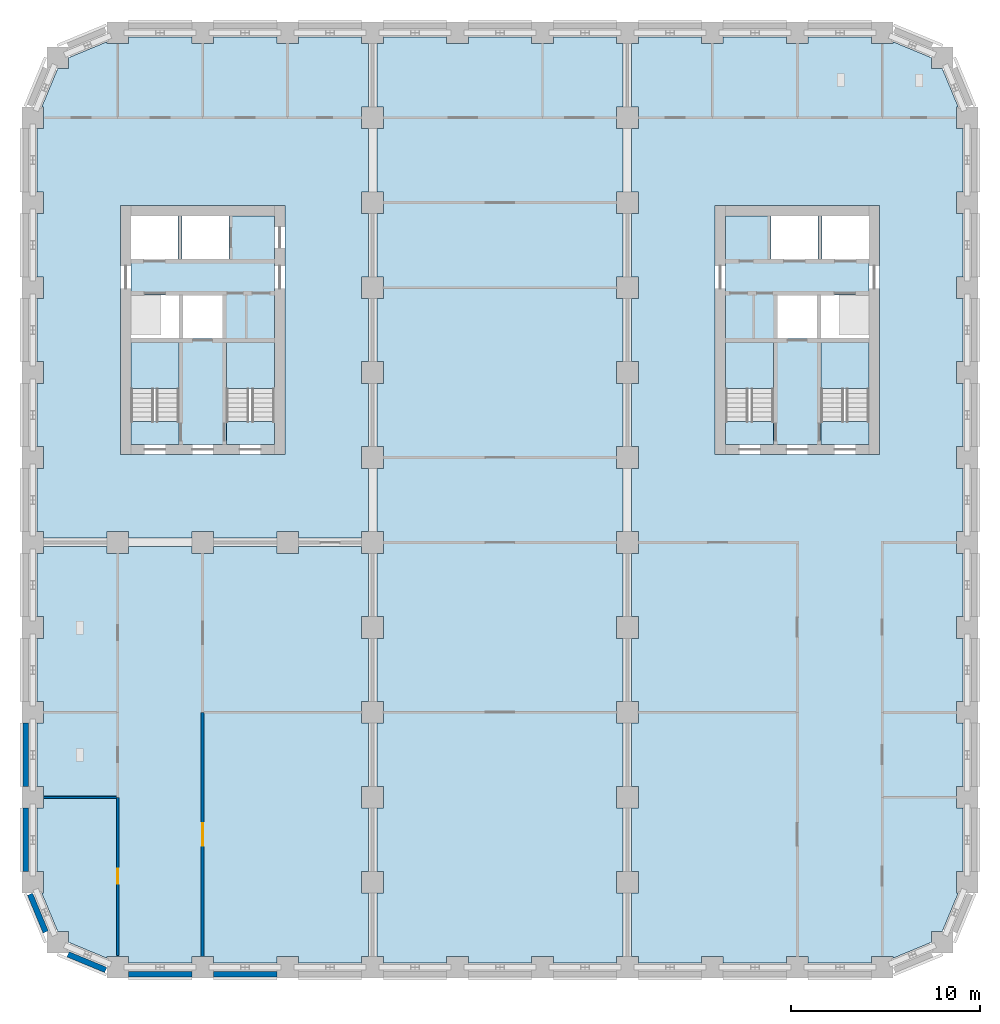
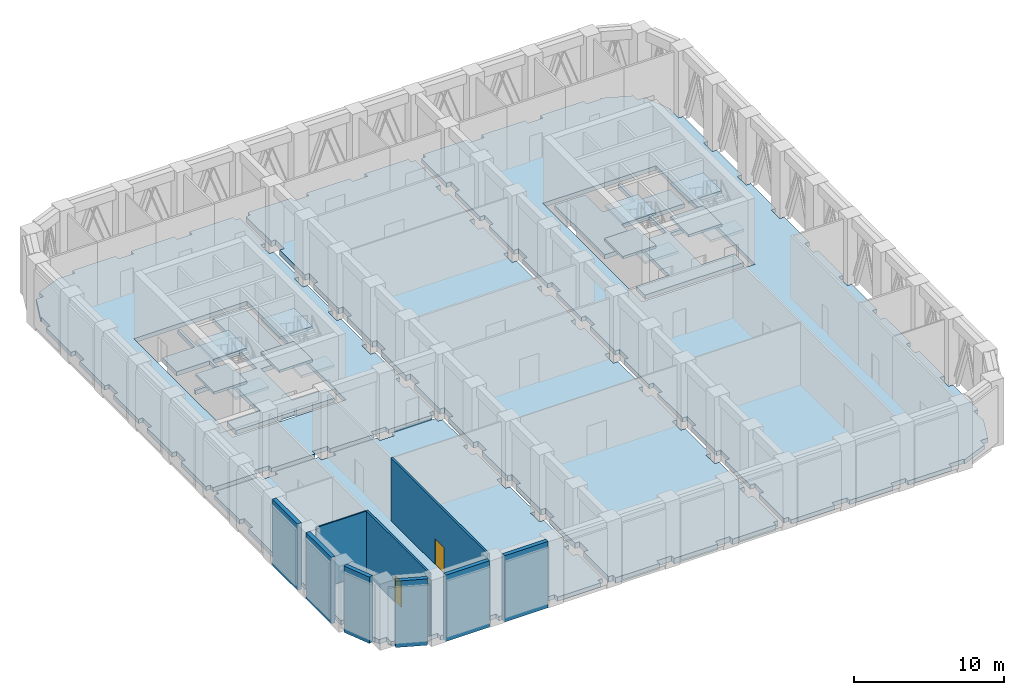
# One storey, part 2 of 11: 18 slabs, 9 walls, 2 doors, 2 openings, 4 elements without a shape of their own.
"""IFC4 building model written with IfcOpenShell, lengths in metres."""

from ifc_helpers import new_model, si_unit, direction, frame, frame_2d, origin, place, context, subcontext, project, spatial, polyline, rectangle, outline, extrude, material, layer, layer_set, type_object, element, fill, aggregate, save


model = new_model("IFC4")

# Units and contexts
model_context = context("Model", 3, precision=1e-05, world=origin(), true_north=direction((0.0, 1.0)))
body_context = subcontext(model_context, "Body", "Model", "MODEL_VIEW")
ifc_project = project(units=[si_unit("LENGTHUNIT", "METRE"), si_unit("AREAUNIT", "SQUARE_METRE"), si_unit("VOLUMEUNIT", "CUBIC_METRE"), si_unit("PLANEANGLEUNIT", "RADIAN"), si_unit("MASSUNIT", "GRAM", prefix="KILO")], contexts=[model_context])

# Site, building, storey
site_placement = place(None, origin())
site = spatial("IfcSite", under=ifc_project, at=site_placement, CompositionType="ELEMENT")
building_placement = place(site_placement, origin())
building = spatial("IfcBuilding", under=site, at=building_placement, Name="Girih Gate Residences", CompositionType="ELEMENT")
storey_placement = place(building_placement, frame((0.0, 0.0, 124.800048828125)))
storey = spatial("IfcBuildingStorey", under=building, at=storey_placement, Name="L35", CompositionType="ELEMENT", Elevation=124.800048828125)

# Slabs
ifc_material_1 = material(Name="Concrete C40/50", Category="concrete")
ifc_layer_1 = layer(ifc_material_1, 0.35009765625)
ifc_layer_set_1 = layer_set([ifc_layer_1], Name="Core floor slab 350")
slab_type_1 = type_object("IfcSlabType", Name="Core floor slab 350", PredefinedType="FLOOR", material=ifc_layer_set_1)
slab_1_placement = place(storey_placement, frame((0.0, 0.0, -0.35009765625)))
element("IfcSlab", 1, at=slab_1_placement, inside=storey, type_object=slab_type_1, Name="L35 W core floor", PredefinedType="FLOOR", context=body_context, shape_type="SweptSolid", body=[
    extrude(outline(polyline([(12.800048828125, 27.699951171875), (5.199951171875, 27.699951171875), (5.199951171875, 28.900634765625), (7.75, 28.900634765625), (7.75, 33.10009765625), (5.199951171875, 33.10009765625), (5.199951171875, 33.300048828125), (7.75, 33.300048828125), (7.75, 35.60009765625), (5.199951171875, 35.60009765625), (5.199951171875, 37.5), (7.699951171875, 37.5), (7.699951171875, 39.800048828125), (7.89990234375, 39.800048828125), (7.89990234375, 37.5), (10.39990234375, 37.5), (10.39990234375, 39.800048828125), (12.800048828125, 39.800048828125), (12.800048828125, 33.10009765625), (10.25, 33.10009765625), (10.25, 28.900634765625), (12.800048828125, 28.900634765625), (12.800048828125, 27.699951171875)]), holes=[polyline([(7.949951171875, 33.300048828125), (10.050048828125, 33.300048828125), (10.050048828125, 35.60009765625), (7.949951171875, 35.60009765625), (7.949951171875, 33.300048828125)])]), origin(), (0.0, 0.0, 1.0), 0.35009765625),
])
slab_2_placement = place(storey_placement, frame((0.0, 0.0, -0.35009765625)))
element("IfcSlab", 2, at=slab_2_placement, inside=storey, type_object=slab_type_1, Name="L35 E core floor", PredefinedType="FLOOR", context=body_context, shape_type="SweptSolid", body=[
    extrude(outline(polyline([(44.300048828125, 27.699951171875), (36.699951171875, 27.699951171875), (36.699951171875, 28.900634765625), (39.25, 28.900634765625), (39.25, 33.10009765625), (36.699951171875, 33.10009765625), (36.699951171875, 39.800048828125), (39.10009765625, 39.800048828125), (39.10009765625, 37.5), (41.60009765625, 37.5), (41.60009765625, 39.800048828125), (41.800048828125, 39.800048828125), (41.800048828125, 37.5), (44.300048828125, 37.5), (44.300048828125, 35.60009765625), (41.75, 35.60009765625), (41.75, 33.300048828125), (44.300048828125, 33.300048828125), (44.300048828125, 33.10009765625), (41.75, 33.10009765625), (41.75, 28.900634765625), (44.300048828125, 28.900634765625), (44.300048828125, 27.699951171875)]), holes=[polyline([(39.449951171875, 35.60009765625), (39.449951171875, 33.300048828125), (41.550048828125, 33.300048828125), (41.550048828125, 35.60009765625), (39.449951171875, 35.60009765625)])]), origin(), (0.0, 0.0, 1.0), 0.35009765625),
])
ifc_layer_2 = layer(ifc_material_1, 0.35009765625)
ifc_layer_set_2 = layer_set([ifc_layer_2], Name="Floor slab PT 350 Concrete C40/50")
slab_type_2 = type_object("IfcSlabType", Name="Floor slab PT 350 Concrete C40/50", PredefinedType="FLOOR", material=ifc_layer_set_2)
slab_3_placement = place(storey_placement, frame((0.0, 0.0, -0.35009765625)))
element("IfcSlab", 3, at=slab_3_placement, inside=storey, type_object=slab_type_2, Name="Floor slab L35 0", PredefinedType="FLOOR", context=body_context, shape_type="SweptSolid", body=[
    extrude(outline(polyline([(0.22509765625, 8.425048828125), (0.22509765625, 5.074951171875), (0.574951171875, 5.074951171875), (0.574951171875, 3.925048828125), (0.481689453125, 3.925048828125), (1.323486328125, 1.89306640625), (1.89306640625, 1.89306640625), (1.89306640625, 1.323486328125), (3.925048828125, 0.481689453125), (3.925048828125, 0.574951171875), (5.074951171875, 0.574951171875), (5.074951171875, 0.22509765625), (8.425048828125, 0.22509765625), (8.425048828125, 0.574951171875), (9.574951171875, 0.574951171875), (9.574951171875, 0.22509765625), (12.925048828125, 0.22509765625), (12.925048828125, 0.574951171875), (14.074951171875, 0.574951171875), (14.074951171875, 0.22509765625), (17.425048828125, 0.22509765625), (17.425048828125, 0.574951171875), (17.77490234375, 0.574951171875), (17.77490234375, 3.925048828125), (17.425048828125, 3.925048828125), (17.425048828125, 5.074951171875), (17.77490234375, 5.074951171875), (17.77490234375, 8.425048828125), (17.425048828125, 8.425048828125), (17.425048828125, 9.574951171875), (17.77490234375, 9.574951171875), (17.77490234375, 12.925048828125), (17.425048828125, 12.925048828125), (17.425048828125, 14.074951171875), (17.77490234375, 14.074951171875), (17.77490234375, 17.425048828125), (17.425048828125, 17.425048828125), (17.425048828125, 18.574951171875), (17.77490234375, 18.574951171875), (17.77490234375, 21.925048828125), (17.425048828125, 21.925048828125), (17.425048828125, 22.27490234375), (14.074951171875, 22.27490234375), (14.074951171875, 21.925048828125), (12.925048828125, 21.925048828125), (12.925048828125, 22.27490234375), (9.574951171875, 22.27490234375), (9.574951171875, 21.925048828125), (8.425048828125, 21.925048828125), (8.425048828125, 22.27490234375), (5.074951171875, 22.27490234375), (5.074951171875, 21.925048828125), (3.925048828125, 21.925048828125), (3.925048828125, 22.27490234375), (0.574951171875, 22.27490234375), (0.574951171875, 21.925048828125), (0.22509765625, 21.925048828125), (0.22509765625, 18.574951171875), (0.574951171875, 18.574951171875), (0.574951171875, 17.425048828125), (0.22509765625, 17.425048828125), (0.22509765625, 14.074951171875), (0.574951171875, 14.074951171875), (0.574951171875, 12.925048828125), (0.22509765625, 12.925048828125), (0.22509765625, 9.574951171875), (0.574951171875, 9.574951171875), (0.574951171875, 8.425048828125), (0.22509765625, 8.425048828125)])), origin(), (0.0, 0.0, 1.0), 0.35009765625),
])
slab_4_placement = place(storey_placement, frame((0.0, 0.0, -0.35009765625)))
element("IfcSlab", 4, at=slab_4_placement, inside=storey, type_object=slab_type_2, Name="Floor slab L35 1", PredefinedType="FLOOR", context=body_context, shape_type="SweptSolid", body=[
    extrude(outline(polyline([(35.425048828125, 49.27490234375), (32.074951171875, 49.27490234375), (32.074951171875, 48.925048828125), (31.72509765625, 48.925048828125), (31.72509765625, 45.574951171875), (32.074951171875, 45.574951171875), (32.074951171875, 44.425048828125), (31.72509765625, 44.425048828125), (31.72509765625, 41.074951171875), (32.074951171875, 41.074951171875), (32.074951171875, 39.925048828125), (31.72509765625, 39.925048828125), (31.72509765625, 36.574951171875), (32.074951171875, 36.574951171875), (32.074951171875, 35.425048828125), (31.72509765625, 35.425048828125), (31.72509765625, 32.074951171875), (32.074951171875, 32.074951171875), (32.074951171875, 30.925048828125), (31.72509765625, 30.925048828125), (31.72509765625, 27.574951171875), (32.074951171875, 27.574951171875), (32.074951171875, 26.425048828125), (31.72509765625, 26.425048828125), (31.72509765625, 23.074951171875), (32.074951171875, 23.074951171875), (32.074951171875, 21.925048828125), (31.72509765625, 21.925048828125), (31.72509765625, 18.574951171875), (32.074951171875, 18.574951171875), (32.074951171875, 17.425048828125), (31.72509765625, 17.425048828125), (31.72509765625, 14.074951171875), (32.074951171875, 14.074951171875), (32.074951171875, 12.925048828125), (31.72509765625, 12.925048828125), (31.72509765625, 9.574951171875), (32.074951171875, 9.574951171875), (32.074951171875, 8.425048828125), (31.72509765625, 8.425048828125), (31.72509765625, 5.074951171875), (32.074951171875, 5.074951171875), (32.074951171875, 3.925048828125), (31.72509765625, 3.925048828125), (31.72509765625, 0.574951171875), (32.074951171875, 0.574951171875), (32.074951171875, 0.22509765625), (35.425048828125, 0.22509765625), (35.425048828125, 0.574951171875), (36.574951171875, 0.574951171875), (36.574951171875, 0.22509765625), (39.925048828125, 0.22509765625), (39.925048828125, 0.574951171875), (41.074951171875, 0.574951171875), (41.074951171875, 0.22509765625), (44.425048828125, 0.22509765625), (44.425048828125, 0.574951171875), (45.574951171875, 0.574951171875), (45.574951171875, 0.481689453125), (47.60693359375, 1.323486328125), (47.60693359375, 1.89306640625), (48.176513671875, 1.89306640625), (49.018310546875, 3.925048828125), (48.925048828125, 3.925048828125), (48.925048828125, 5.074951171875), (49.27490234375, 5.074951171875), (49.27490234375, 8.425048828125), (48.925048828125, 8.425048828125), (48.925048828125, 9.574951171875), (49.27490234375, 9.574951171875), (49.27490234375, 12.925048828125), (48.925048828125, 12.925048828125), (48.925048828125, 14.074951171875), (49.27490234375, 14.074951171875), (49.27490234375, 17.425048828125), (48.925048828125, 17.425048828125), (48.925048828125, 18.574951171875), (49.27490234375, 18.574951171875), (49.27490234375, 21.925048828125), (48.925048828125, 21.925048828125), (48.925048828125, 23.074951171875), (49.27490234375, 23.074951171875), (49.27490234375, 26.425048828125), (48.925048828125, 26.425048828125), (48.925048828125, 27.574951171875), (49.27490234375, 27.574951171875), (49.27490234375, 30.925048828125), (48.925048828125, 30.925048828125), (48.925048828125, 32.074951171875), (49.27490234375, 32.074951171875), (49.27490234375, 35.425048828125), (48.925048828125, 35.425048828125), (48.925048828125, 36.574951171875), (49.27490234375, 36.574951171875), (49.27490234375, 39.925048828125), (48.925048828125, 39.925048828125), (48.925048828125, 41.074951171875), (49.27490234375, 41.074951171875), (49.27490234375, 44.425048828125), (48.925048828125, 44.425048828125), (48.925048828125, 45.574951171875), (49.018310546875, 45.574951171875), (48.176513671875, 47.60693359375), (47.60693359375, 47.60693359375), (47.60693359375, 48.176513671875), (45.574951171875, 49.018310546875), (45.574951171875, 48.925048828125), (44.425048828125, 48.925048828125), (44.425048828125, 49.27490234375), (41.074951171875, 49.27490234375), (41.074951171875, 48.925048828125), (39.925048828125, 48.925048828125), (39.925048828125, 49.27490234375), (36.574951171875, 49.27490234375), (36.574951171875, 48.925048828125), (35.425048828125, 48.925048828125), (35.425048828125, 49.27490234375)]), holes=[polyline([(44.85009765625, 40.35009765625), (44.85009765625, 27.14990234375), (36.14990234375, 27.14990234375), (36.14990234375, 40.35009765625), (44.85009765625, 40.35009765625)])]), origin(), (0.0, 0.0, 1.0), 0.35009765625),
])
slab_5_placement = place(storey_placement, frame((0.0, 0.0, -0.35009765625)))
element("IfcSlab", 5, at=slab_5_placement, inside=storey, type_object=slab_type_2, Name="Floor slab L35 3", PredefinedType="FLOOR", context=body_context, shape_type="SweptSolid", body=[
    extrude(outline(polyline([(0.22509765625, 26.425048828125), (0.22509765625, 23.074951171875), (0.574951171875, 23.074951171875), (0.574951171875, 22.72509765625), (3.925048828125, 22.72509765625), (3.925048828125, 23.074951171875), (5.074951171875, 23.074951171875), (5.074951171875, 22.72509765625), (8.425048828125, 22.72509765625), (8.425048828125, 23.074951171875), (9.574951171875, 23.074951171875), (9.574951171875, 22.72509765625), (12.925048828125, 22.72509765625), (12.925048828125, 23.074951171875), (14.074951171875, 23.074951171875), (14.074951171875, 22.72509765625), (17.425048828125, 22.72509765625), (17.425048828125, 23.074951171875), (17.77490234375, 23.074951171875), (17.77490234375, 26.425048828125), (17.425048828125, 26.425048828125), (17.425048828125, 27.574951171875), (17.77490234375, 27.574951171875), (17.77490234375, 30.925048828125), (17.425048828125, 30.925048828125), (17.425048828125, 32.074951171875), (17.77490234375, 32.074951171875), (17.77490234375, 35.425048828125), (17.425048828125, 35.425048828125), (17.425048828125, 36.574951171875), (17.77490234375, 36.574951171875), (17.77490234375, 39.925048828125), (17.425048828125, 39.925048828125), (17.425048828125, 41.074951171875), (17.77490234375, 41.074951171875), (17.77490234375, 44.425048828125), (17.425048828125, 44.425048828125), (17.425048828125, 45.574951171875), (17.77490234375, 45.574951171875), (17.77490234375, 48.925048828125), (17.425048828125, 48.925048828125), (17.425048828125, 49.27490234375), (14.074951171875, 49.27490234375), (14.074951171875, 48.925048828125), (12.925048828125, 48.925048828125), (12.925048828125, 49.27490234375), (9.574951171875, 49.27490234375), (9.574951171875, 48.925048828125), (8.425048828125, 48.925048828125), (8.425048828125, 49.27490234375), (5.074951171875, 49.27490234375), (5.074951171875, 48.925048828125), (3.925048828125, 48.925048828125), (3.925048828125, 49.018310546875), (1.89306640625, 48.176513671875), (1.89306640625, 47.60693359375), (1.323486328125, 47.60693359375), (0.481689453125, 45.574951171875), (0.574951171875, 45.574951171875), (0.574951171875, 44.425048828125), (0.22509765625, 44.425048828125), (0.22509765625, 41.074951171875), (0.574951171875, 41.074951171875), (0.574951171875, 39.925048828125), (0.22509765625, 39.925048828125), (0.22509765625, 36.574951171875), (0.574951171875, 36.574951171875), (0.574951171875, 35.425048828125), (0.22509765625, 35.425048828125), (0.22509765625, 32.074951171875), (0.574951171875, 32.074951171875), (0.574951171875, 30.925048828125), (0.22509765625, 30.925048828125), (0.22509765625, 27.574951171875), (0.574951171875, 27.574951171875), (0.574951171875, 26.425048828125), (0.22509765625, 26.425048828125)]), holes=[polyline([(13.35009765625, 40.35009765625), (13.35009765625, 27.14990234375), (4.64990234375, 27.14990234375), (4.64990234375, 40.35009765625), (13.35009765625, 40.35009765625)])]), origin(), (0.0, 0.0, 1.0), 0.35009765625),
])
ifc_layer_3 = layer(ifc_material_1, 0.449951171875)
ifc_layer_set_3 = layer_set([ifc_layer_3], Name="Floor slab PT 450 Concrete C40/50")
slab_type_3 = type_object("IfcSlabType", Name="Floor slab PT 450 Concrete C40/50", PredefinedType="FLOOR", material=ifc_layer_set_3)
slab_6_placement = place(storey_placement, frame((0.0, 0.0, -0.449951171875)))
element("IfcSlab", 6, at=slab_6_placement, inside=storey, type_object=slab_type_3, Name="Floor slab L35 2", PredefinedType="FLOOR", context=body_context, shape_type="SweptSolid", body=[
    extrude(outline(polyline([(21.925048828125, 49.27490234375), (18.574951171875, 49.27490234375), (18.574951171875, 48.925048828125), (18.22509765625, 48.925048828125), (18.22509765625, 45.574951171875), (18.574951171875, 45.574951171875), (18.574951171875, 44.425048828125), (18.22509765625, 44.425048828125), (18.22509765625, 41.074951171875), (18.574951171875, 41.074951171875), (18.574951171875, 39.925048828125), (18.22509765625, 39.925048828125), (18.22509765625, 36.574951171875), (18.574951171875, 36.574951171875), (18.574951171875, 35.425048828125), (18.22509765625, 35.425048828125), (18.22509765625, 32.074951171875), (18.574951171875, 32.074951171875), (18.574951171875, 30.925048828125), (18.22509765625, 30.925048828125), (18.22509765625, 27.574951171875), (18.574951171875, 27.574951171875), (18.574951171875, 26.425048828125), (18.22509765625, 26.425048828125), (18.22509765625, 23.074951171875), (18.574951171875, 23.074951171875), (18.574951171875, 21.925048828125), (18.22509765625, 21.925048828125), (18.22509765625, 18.574951171875), (18.574951171875, 18.574951171875), (18.574951171875, 17.425048828125), (18.22509765625, 17.425048828125), (18.22509765625, 14.074951171875), (18.574951171875, 14.074951171875), (18.574951171875, 12.925048828125), (18.22509765625, 12.925048828125), (18.22509765625, 9.574951171875), (18.574951171875, 9.574951171875), (18.574951171875, 8.425048828125), (18.22509765625, 8.425048828125), (18.22509765625, 5.074951171875), (18.574951171875, 5.074951171875), (18.574951171875, 3.925048828125), (18.22509765625, 3.925048828125), (18.22509765625, 0.574951171875), (18.574951171875, 0.574951171875), (18.574951171875, 0.22509765625), (21.925048828125, 0.22509765625), (21.925048828125, 0.574951171875), (23.074951171875, 0.574951171875), (23.074951171875, 0.22509765625), (26.425048828125, 0.22509765625), (26.425048828125, 0.574951171875), (27.574951171875, 0.574951171875), (27.574951171875, 0.22509765625), (30.925048828125, 0.22509765625), (30.925048828125, 0.574951171875), (31.27490234375, 0.574951171875), (31.27490234375, 3.925048828125), (30.925048828125, 3.925048828125), (30.925048828125, 5.074951171875), (31.27490234375, 5.074951171875), (31.27490234375, 8.425048828125), (30.925048828125, 8.425048828125), (30.925048828125, 9.574951171875), (31.27490234375, 9.574951171875), (31.27490234375, 12.925048828125), (30.925048828125, 12.925048828125), (30.925048828125, 14.074951171875), (31.27490234375, 14.074951171875), (31.27490234375, 17.425048828125), (30.925048828125, 17.425048828125), (30.925048828125, 18.574951171875), (31.27490234375, 18.574951171875), (31.27490234375, 21.925048828125), (30.925048828125, 21.925048828125), (30.925048828125, 23.074951171875), (31.27490234375, 23.074951171875), (31.27490234375, 26.425048828125), (30.925048828125, 26.425048828125), (30.925048828125, 27.574951171875), (31.27490234375, 27.574951171875), (31.27490234375, 30.925048828125), (30.925048828125, 30.925048828125), (30.925048828125, 32.074951171875), (31.27490234375, 32.074951171875), (31.27490234375, 35.425048828125), (30.925048828125, 35.425048828125), (30.925048828125, 36.574951171875), (31.27490234375, 36.574951171875), (31.27490234375, 39.925048828125), (30.925048828125, 39.925048828125), (30.925048828125, 41.074951171875), (31.27490234375, 41.074951171875), (31.27490234375, 44.425048828125), (30.925048828125, 44.425048828125), (30.925048828125, 45.574951171875), (31.27490234375, 45.574951171875), (31.27490234375, 48.925048828125), (30.925048828125, 48.925048828125), (30.925048828125, 49.27490234375), (27.574951171875, 49.27490234375), (27.574951171875, 48.925048828125), (26.425048828125, 48.925048828125), (26.425048828125, 49.27490234375), (23.074951171875, 49.27490234375), (23.074951171875, 48.925048828125), (21.925048828125, 48.925048828125), (21.925048828125, 49.27490234375)])), origin(), (0.0, 0.0, 1.0), 0.449951171875),
])

# Stair, slabs
stair_type = type_object("IfcStairType", Name="Exit stair", PredefinedType="HALF_TURN_STAIR", material=ifc_material_1)
stair_1_placement = place(storey_placement, origin())
stair_1 = element("IfcStair", 7, at=stair_1_placement, inside=storey, type_object=stair_type, Name="L35 Exit Stair ST-W1", PredefinedType="HALF_TURN_STAIR")
ifc_layer_4 = layer(ifc_material_1, 0.199951171875)
ifc_layer_set_4 = layer_set([ifc_layer_4], Name="Stair landing 200")
slab_type_4 = type_object("IfcSlabType", Name="Stair landing 200", PredefinedType="LANDING", material=ifc_layer_set_4)
slab_7_placement = place(storey_placement, frame((0.0, 0.0, 1.14990234375)))
slab_7 = element("IfcSlab", 8, at=slab_7_placement, type_object=slab_type_4, Name="ST-W1 landing 1", PredefinedType="LANDING", context=body_context, shape_type="SweptSolid", body=[
    extrude(outline(polyline([(7.75, 30.64990234375), (7.75, 33.10009765625), (5.199951171875, 33.10009765625), (5.199951171875, 30.64990234375), (7.75, 30.64990234375)])), origin(), (0.0, 0.0, 1.0), 0.199951171875),
])
slab_8_placement = place(storey_placement, frame((0.0, 0.0, 2.5)))
slab_8 = element("IfcSlab", 9, at=slab_8_placement, type_object=slab_type_4, Name="ST-W1 landing 2", PredefinedType="LANDING", context=body_context, shape_type="SweptSolid", body=[
    extrude(outline(polyline([(7.75, 27.699951171875), (7.75, 28.89990234375), (5.199951171875, 28.89990234375), (5.199951171875, 27.699951171875), (7.75, 27.699951171875)])), origin(), (0.0, 0.0, 1.0), 0.199951171875),
])
slab_9_placement = place(storey_placement, frame((0.0, 0.0, 3.849853515625)))
slab_9 = element("IfcSlab", 10, at=slab_9_placement, type_object=slab_type_4, Name="ST-W1 landing 3", PredefinedType="LANDING", context=body_context, shape_type="SweptSolid", body=[
    extrude(outline(polyline([(7.75, 30.64990234375), (7.75, 33.10009765625), (5.199951171875, 33.10009765625), (5.199951171875, 30.64990234375), (7.75, 30.64990234375)])), origin(), (0.0, 0.0, 1.0), 0.2001953125),
])
aggregate(stair_1, [slab_7, slab_8, slab_9])

stair_2_placement = place(storey_placement, origin())
stair_2 = element("IfcStair", 11, at=stair_2_placement, inside=storey, type_object=stair_type, Name="L35 Exit Stair ST-W2", PredefinedType="HALF_TURN_STAIR")
slab_10_placement = place(storey_placement, frame((0.0, 0.0, 1.14990234375)))
slab_10 = element("IfcSlab", 12, at=slab_10_placement, type_object=slab_type_4, Name="ST-W2 landing 1", PredefinedType="LANDING", context=body_context, shape_type="SweptSolid", body=[
    extrude(outline(polyline([(12.800048828125, 30.64990234375), (12.800048828125, 33.10009765625), (10.25, 33.10009765625), (10.25, 30.64990234375), (12.800048828125, 30.64990234375)])), origin(), (0.0, 0.0, 1.0), 0.199951171875),
])
slab_11_placement = place(storey_placement, frame((0.0, 0.0, 2.5)))
slab_11 = element("IfcSlab", 13, at=slab_11_placement, type_object=slab_type_4, Name="ST-W2 landing 2", PredefinedType="LANDING", context=body_context, shape_type="SweptSolid", body=[
    extrude(outline(polyline([(12.800048828125, 27.699951171875), (12.800048828125, 28.89990234375), (10.25, 28.89990234375), (10.25, 27.699951171875), (12.800048828125, 27.699951171875)])), origin(), (0.0, 0.0, 1.0), 0.199951171875),
])
slab_12_placement = place(storey_placement, frame((0.0, 0.0, 3.849853515625)))
slab_12 = element("IfcSlab", 14, at=slab_12_placement, type_object=slab_type_4, Name="ST-W2 landing 3", PredefinedType="LANDING", context=body_context, shape_type="SweptSolid", body=[
    extrude(outline(polyline([(12.800048828125, 30.64990234375), (12.800048828125, 33.10009765625), (10.25, 33.10009765625), (10.25, 30.64990234375), (12.800048828125, 30.64990234375)])), origin(), (0.0, 0.0, 1.0), 0.2001953125),
])
aggregate(stair_2, [slab_10, slab_11, slab_12])

stair_3_placement = place(storey_placement, origin())
stair_3 = element("IfcStair", 15, at=stair_3_placement, inside=storey, type_object=stair_type, Name="L35 Exit Stair ST-E1", PredefinedType="HALF_TURN_STAIR")
slab_13_placement = place(storey_placement, frame((0.0, 0.0, 1.14990234375)))
slab_13 = element("IfcSlab", 16, at=slab_13_placement, type_object=slab_type_4, Name="ST-E1 landing 1", PredefinedType="LANDING", context=body_context, shape_type="SweptSolid", body=[
    extrude(outline(polyline([(44.300048828125, 30.64990234375), (44.300048828125, 33.10009765625), (41.75, 33.10009765625), (41.75, 30.64990234375), (44.300048828125, 30.64990234375)])), origin(), (0.0, 0.0, 1.0), 0.199951171875),
])
slab_14_placement = place(storey_placement, frame((0.0, 0.0, 2.5)))
slab_14 = element("IfcSlab", 17, at=slab_14_placement, type_object=slab_type_4, Name="ST-E1 landing 2", PredefinedType="LANDING", context=body_context, shape_type="SweptSolid", body=[
    extrude(outline(polyline([(44.300048828125, 27.699951171875), (44.300048828125, 28.89990234375), (41.75, 28.89990234375), (41.75, 27.699951171875), (44.300048828125, 27.699951171875)])), origin(), (0.0, 0.0, 1.0), 0.199951171875),
])
slab_15_placement = place(storey_placement, frame((0.0, 0.0, 3.849853515625)))
slab_15 = element("IfcSlab", 18, at=slab_15_placement, type_object=slab_type_4, Name="ST-E1 landing 3", PredefinedType="LANDING", context=body_context, shape_type="SweptSolid", body=[
    extrude(outline(polyline([(44.300048828125, 30.64990234375), (44.300048828125, 33.10009765625), (41.75, 33.10009765625), (41.75, 30.64990234375), (44.300048828125, 30.64990234375)])), origin(), (0.0, 0.0, 1.0), 0.2001953125),
])
aggregate(stair_3, [slab_13, slab_14, slab_15])

stair_4_placement = place(storey_placement, origin())
stair_4 = element("IfcStair", 19, at=stair_4_placement, inside=storey, type_object=stair_type, Name="L35 Exit Stair ST-E2", PredefinedType="HALF_TURN_STAIR")
slab_16_placement = place(storey_placement, frame((0.0, 0.0, 1.14990234375)))
slab_16 = element("IfcSlab", 20, at=slab_16_placement, type_object=slab_type_4, Name="ST-E2 landing 1", PredefinedType="LANDING", context=body_context, shape_type="SweptSolid", body=[
    extrude(outline(polyline([(39.25, 30.64990234375), (39.25, 33.10009765625), (36.699951171875, 33.10009765625), (36.699951171875, 30.64990234375), (39.25, 30.64990234375)])), origin(), (0.0, 0.0, 1.0), 0.199951171875),
])
slab_17_placement = place(storey_placement, frame((0.0, 0.0, 2.5)))
slab_17 = element("IfcSlab", 21, at=slab_17_placement, type_object=slab_type_4, Name="ST-E2 landing 2", PredefinedType="LANDING", context=body_context, shape_type="SweptSolid", body=[
    extrude(outline(polyline([(39.25, 27.699951171875), (39.25, 28.89990234375), (36.699951171875, 28.89990234375), (36.699951171875, 27.699951171875), (39.25, 27.699951171875)])), origin(), (0.0, 0.0, 1.0), 0.199951171875),
])
slab_18_placement = place(storey_placement, frame((0.0, 0.0, 3.849853515625)))
slab_18 = element("IfcSlab", 22, at=slab_18_placement, type_object=slab_type_4, Name="ST-E2 landing 3", PredefinedType="LANDING", context=body_context, shape_type="SweptSolid", body=[
    extrude(outline(polyline([(39.25, 30.64990234375), (39.25, 33.10009765625), (36.699951171875, 33.10009765625), (36.699951171875, 30.64990234375), (39.25, 30.64990234375)])), origin(), (0.0, 0.0, 1.0), 0.2001953125),
])
aggregate(stair_4, [slab_16, slab_17, slab_18])

# Wall, opening, door
ifc_material_2 = material(Name="Gypsum board on steel studs", Category="steel")
ifc_layer_5 = layer(ifc_material_2, 0.14990234375)
ifc_layer_set_5 = layer_set([ifc_layer_5], Name="Compartment wall 150 mm")
wall_type_1 = type_object("IfcWallType", Name="Compartment wall 150 mm", PredefinedType="PARTITIONING", material=ifc_layer_set_5)
wall_1_placement = place(storey_placement, frame((9.0, 13.5, 0.0), z_axis=(0.0, 0.0, 1.0), x_axis=(0.0, -1.0, 0.0)))
wall_1 = element("IfcWall", 23, at=wall_1_placement, inside=storey, type_object=wall_type_1, Name="L35 partition", PredefinedType="PARTITIONING", context=body_context, shape_type="SweptSolid", body=[
    extrude(rectangle(XDim=12.925048828125, YDim=0.14990234375, at=frame_2d((6.46240234375, 0.0))), origin(), (0.0, 0.0, 1.0), 5.099853515625),
])
opening_1_placement = place(wall_1_placement, frame((5.862548828125, 0.0, 0.0)))
opening_1 = element("IfcOpeningElement", 24, at=opening_1_placement, cuts=wall_1, Name="Opening D-L35-S-022", PredefinedType="OPENING", context=body_context, shape_type="SweptSolid", body=[
    extrude(rectangle(XDim=1.199951171875, YDim=2.10009765625, at=frame_2d((0.60009765625, 1.050048828125))), frame((0.0, 0.0849609375, 0.0), z_axis=(0.0, -1.0, 0.0), x_axis=(1.0, 0.0, 0.0)), (0.0, 0.0, 1.0), 0.169921875),
])
ifc_material_3 = material(Name="Timber, fire-rated core", Category="wood")
door_type_1 = type_object("IfcDoorType", Name="Gallery fire door 1200x2100 FD30S", OperationType="SINGLE_SWING_LEFT", PredefinedType="DOOR", material=ifc_material_3)
door_1_placement = place(opening_1_placement, origin())
door_1 = element("IfcDoor", 25, at=door_1_placement, inside=storey, type_object=door_type_1, Name="Door L35-022", OperationType="SINGLE_SWING_RIGHT", OverallHeight=2.10009765625, OverallWidth=1.199951171875, PredefinedType="DOOR", context=body_context, shape_type="SweptSolid", body=[
    extrude(rectangle(XDim=1.199951171875, YDim=2.10009765625, at=frame_2d((0.60009765625, 1.050048828125))), frame((0.0, 0.02490234375, 0.0), z_axis=(0.0, -1.0, 0.0), x_axis=(1.0, 0.0, 0.0)), (0.0, 0.0, 1.0), 0.050048828125),
])
fill(opening_1, door_1)

wall_2_placement = place(storey_placement, frame((4.5, 0.622314453125, 0.0), z_axis=(0.0, 0.0, 1.0), x_axis=(0.0, 1.0, 0.0)))
wall_2 = element("IfcWall", 26, at=wall_2_placement, inside=storey, type_object=wall_type_1, Name="L35 partition", PredefinedType="PARTITIONING", context=body_context, shape_type="SweptSolid", body=[
    extrude(rectangle(XDim=8.377685546875, YDim=0.14990234375, at=frame_2d((4.18896484375, 0.0))), origin(), (0.0, 0.0, 1.0), 5.099853515625),
])
opening_2_placement = place(wall_2_placement, frame((3.788818359375, 0.0, 0.0)))
opening_2 = element("IfcOpeningElement", 27, at=opening_2_placement, cuts=wall_2, Name="Opening D-L35-S-024", PredefinedType="OPENING", context=body_context, shape_type="SweptSolid", body=[
    extrude(rectangle(XDim=0.800048828125, YDim=2.10009765625, at=frame_2d((0.39990234375, 1.050048828125))), frame((0.0, 0.0849609375, 0.0), z_axis=(0.0, -1.0, 0.0), x_axis=(1.0, 0.0, 0.0)), (0.0, 0.0, 1.0), 0.169921875),
])
ifc_material_4 = material(Name="Timber", Category="wood")
door_type_2 = type_object("IfcDoorType", Name="WC and store door 800x2100", OperationType="SINGLE_SWING_LEFT", PredefinedType="DOOR", material=ifc_material_4)
door_2_placement = place(opening_2_placement, origin())
door_2 = element("IfcDoor", 28, at=door_2_placement, inside=storey, type_object=door_type_2, Name="Door L35-024", OperationType="SINGLE_SWING_RIGHT", OverallHeight=2.10009765625, OverallWidth=0.800048828125, PredefinedType="DOOR", context=body_context, shape_type="SweptSolid", body=[
    extrude(rectangle(XDim=0.800048828125, YDim=2.10009765625, at=frame_2d((0.39990234375, 1.050048828125))), frame((0.0, 0.02490234375, 0.0), z_axis=(0.0, -1.0, 0.0), x_axis=(1.0, 0.0, 0.0)), (0.0, 0.0, 1.0), 0.050048828125),
])
fill(opening_2, door_2)

# Walls
ifc_layer_6 = layer(ifc_material_2, 0.10009765625)
ifc_layer_set_6 = layer_set([ifc_layer_6], Name="Partition 100 mm")
wall_type_2 = type_object("IfcWallType", Name="Partition 100 mm", PredefinedType="PARTITIONING", material=ifc_layer_set_6)
wall_3_placement = place(storey_placement, frame((0.574951171875, 9.0, 0.0), z_axis=(0.0, 0.0, 1.0), x_axis=(1.0, 0.0, 0.0)))
element("IfcWall", 29, at=wall_3_placement, inside=storey, type_object=wall_type_2, Name="L35 partition", PredefinedType="PARTITIONING", context=body_context, shape_type="SweptSolid", body=[
    extrude(rectangle(XDim=3.85009765625, YDim=0.10009765625, at=frame_2d((1.925048828125, 0.0))), origin(), (0.0, 0.0, 1.0), 5.099853515625),
])
ifc_material_5 = material(Name="Precast concrete C50/60", Category="concrete")
ifc_layer_7 = layer(ifc_material_5, 0.080078125, Name="Outer leaf")
ifc_material_6 = material(Name="Rigid PIR insulation")
ifc_layer_8 = layer(ifc_material_6, 0.14990234375, Name="Insulation")
ifc_material_7 = material(Name="Precast concrete C40/50", Category="concrete")
ifc_layer_9 = layer(ifc_material_7, 0.070068359375, Name="Inner leaf")
ifc_layer_set_7 = layer_set([ifc_layer_7, ifc_layer_8, ifc_layer_9], Name="Precast concrete C50/60 external wall 300")
wall_type_3 = type_object("IfcWallType", Name="Precast concrete C50/60 external wall 300", PredefinedType="SOLIDWALL", material=ifc_layer_set_7)
for number, where, z_axis, x_axis, name in (
    (30, (0.68408203125, 1.86865234375, 0.0), (0.0, 0.0, 1.0), (-0.382723818695, 0.923862802911, 0.0), "External wall SW0000_0045.0"),
    (31, (3.86767578125, -0.14404296875, 0.0), (0.0, 0.0, 1.0), (-0.923862802911, 0.382723818695, 0.0), "External wall SW0013_0013.0"),
):
    element("IfcWall", number, at=place(storey_placement, frame(where, z_axis=z_axis, x_axis=x_axis)), inside=storey, type_object=wall_type_3, Name=name, PredefinedType="SOLIDWALL", context=body_context, shape_type="SweptSolid", body=[
        extrude(rectangle(XDim=2.163818359375, YDim=0.300048828125, at=frame_2d((1.08203125, 0.0))), origin(), (0.0, 0.0, 1.0), 5.39990234375),
    ])
for number, where, z_axis, x_axis, name in (
    (32, (8.425048828125, -0.375, 0.0), (0.0, 0.0, 1.0), (-1.0, 0.0, 0.0), "External wall S0045_0000.0"),
    (33, (12.925048828125, -0.375, 0.0), (0.0, 0.0, 1.0), (-1.0, 0.0, 0.0), "External wall S0045_0000.1"),
    (34, (-0.375, 9.574951171875, 0.0), (0.0, 0.0, 1.0), (0.0, 1.0, 0.0), "External wall W0000_0450.7"),
    (35, (-0.375, 5.074951171875, 0.0), (0.0, 0.0, 1.0), (0.0, 1.0, 0.0), "External wall W0000_0450.8"),
):
    element("IfcWall", number, at=place(storey_placement, frame(where, z_axis=z_axis, x_axis=x_axis)), inside=storey, type_object=wall_type_3, Name=name, PredefinedType="SOLIDWALL", context=body_context, shape_type="SweptSolid", body=[
        extrude(rectangle(XDim=3.35009765625, YDim=0.300048828125, at=frame_2d((1.675048828125, 0.0))), origin(), (0.0, 0.0, 1.0), 5.39990234375),
    ])

save(model, "model.ifc")
